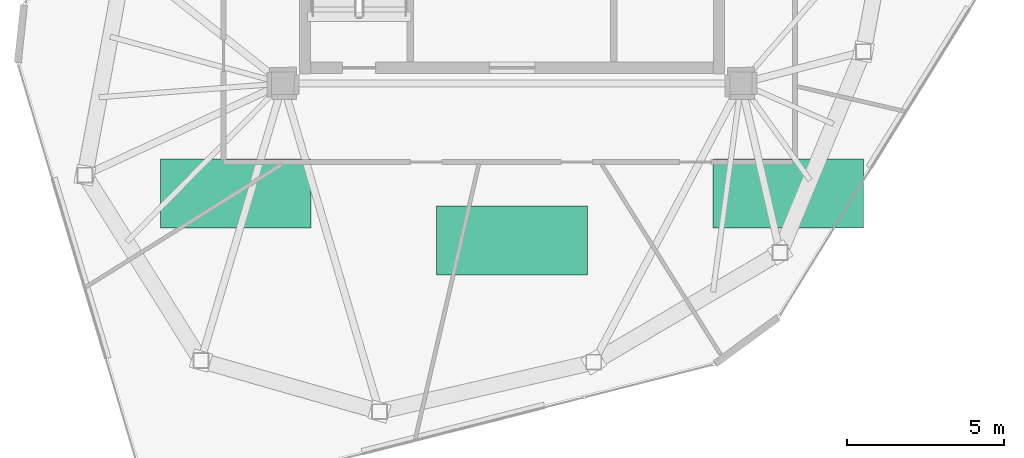
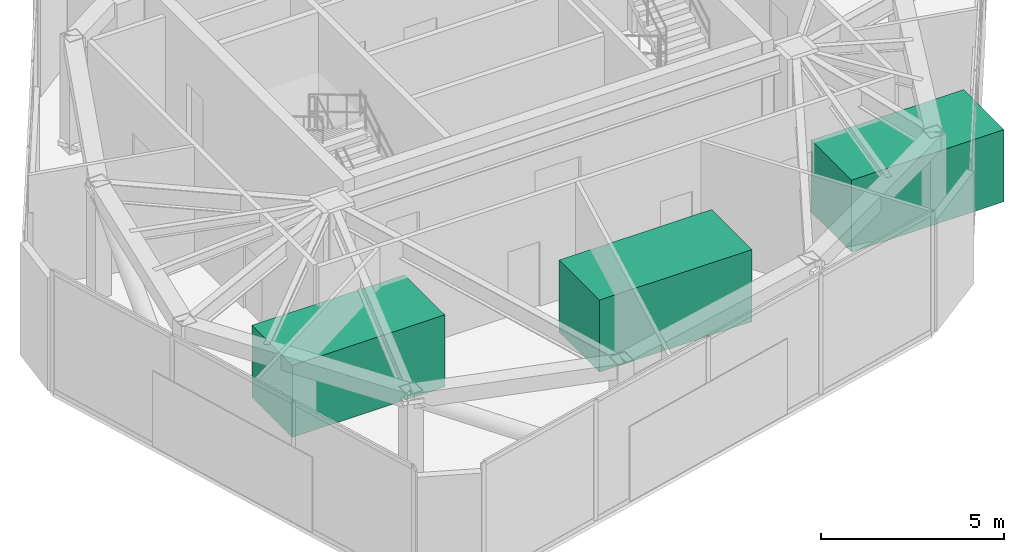
# One storey, part 21 of 21: 3 electric generators.
"""IFC4 building model written with IfcOpenShell, lengths in metres."""

import ifcopenshell
import ifcopenshell.guid

model = None  # the IFC model being written
_history = None  # IfcOwnerHistory: only IFC2X3 demands one
_inside = {}  # id of a spatial element -> (the spatial element, [elements in it])
_under = {}  # id of a project, library or spatial element -> (it, [spatial elements below it])
_declared = {}  # id of a project -> (the project, [libraries it declares])
_typed = {}  # id of a type object -> (the type object, [elements of that type])
_made_of = {}  # id of a material, layer set ... -> (it, [elements and type objects made of it])


def new_model(schema):
    """Start an empty IFC model of exactly this schema.

    Asked for "IFC4X3", IfcOpenShell would pick the latest addendum, in which some entities
    have other attributes; the version numbers below select the first issue.
    IFC2X3 requires an IfcOwnerHistory on every rooted entity: one is made here for all.
    """
    global model, _history
    if schema == "IFC4X3":
        model = ifcopenshell.file(schema_version=(4, 3, 0, 0))
    else:
        model = ifcopenshell.file(schema=schema)
    _inside.clear()
    _under.clear()
    _declared.clear()
    _typed.clear()
    _made_of.clear()
    _history = None
    if model.schema == "IFC2X3":
        org = make("IfcOrganization", Name="unknown")
        user = make(
            "IfcPersonAndOrganization",
            ThePerson=make("IfcPerson", FamilyName="unknown"),
            TheOrganization=org,
        )
        app = make(
            "IfcApplication",
            ApplicationDeveloper=org,
            Version="unknown",
            ApplicationFullName="unknown",
            ApplicationIdentifier="unknown",
        )
        _history = make(
            "IfcOwnerHistory",
            OwningUser=user,
            OwningApplication=app,
            ChangeAction="ADDED",
            CreationDate=0,
        )
    return model


def make(cls, **values):
    """One entity of the class cls with the attributes given. An attribute that is None is left unset."""
    return model.create_entity(
        cls, **{name: value for name, value in values.items() if value is not None}
    )


def rooted(cls, **values):
    """An entity with a GlobalId (a new one), such as an element, a storey or a relation."""
    return make(cls, GlobalId=ifcopenshell.guid.new(), OwnerHistory=_history, **values)


def si_unit(unit_type, name, prefix=None):
    """IfcSIUnit, for example si_unit("LENGTHUNIT", "METRE", prefix="MILLI")."""
    return make("IfcSIUnit", UnitType=unit_type, Prefix=prefix, Name=name)


def assignment(units):
    """IfcUnitAssignment: the units of a project."""
    return None if units is None else make("IfcUnitAssignment", Units=units)


def point(xyz):
    """IfcCartesianPoint."""
    return None if xyz is None else make("IfcCartesianPoint", Coordinates=xyz)


def direction(xyz):
    """IfcDirection."""
    return None if xyz is None else make("IfcDirection", DirectionRatios=xyz)


def frame(location, z_axis=None, x_axis=None):
    """IfcAxis2Placement3D, a coordinate frame: its origin and axes. An axis left out is left unset."""
    return make(
        "IfcAxis2Placement3D",
        Location=point(location),
        Axis=direction(z_axis),
        RefDirection=direction(x_axis),
    )


def frame_2d(location, x_axis=None):
    """IfcAxis2Placement2D, a coordinate frame in the plane: its origin and x axis."""
    return make(
        "IfcAxis2Placement2D", Location=point(location), RefDirection=direction(x_axis)
    )


def origin():
    """The frame at (0, 0, 0) with its axes left unset."""
    return frame((0.0, 0.0, 0.0))


def origin_2d():
    """The frame at (0, 0) in the plane with its x axis left unset."""
    return frame_2d((0.0, 0.0))


def place(relative_to, where):
    """IfcLocalPlacement: puts the frame where relative to a parent placement (None: the world)."""
    return make(
        "IfcLocalPlacement", PlacementRelTo=relative_to, RelativePlacement=where
    )


def context(
    kind, dimensions, precision=None, world=None, true_north=None, identifier=None
):
    """IfcGeometricRepresentationContext, for example the 3D "Model" context."""
    return make(
        "IfcGeometricRepresentationContext",
        ContextIdentifier=identifier,
        ContextType=kind,
        CoordinateSpaceDimension=dimensions,
        Precision=precision,
        WorldCoordinateSystem=world,
        TrueNorth=true_north,
    )


def subcontext(parent, identifier, kind, view, scale=None):
    """IfcGeometricRepresentationSubContext, for example "Body" below "Model"."""
    return make(
        "IfcGeometricRepresentationSubContext",
        ContextIdentifier=identifier,
        ContextType=kind,
        ParentContext=parent,
        TargetScale=scale,
        TargetView=view,
    )


def project(units=None, contexts=None):
    """IfcProject with its units and contexts."""
    return rooted(
        "IfcProject",
        Name="project",
        RepresentationContexts=contexts,
        UnitsInContext=assignment(units),
    )


def spatial(cls, under=None, at=None, **own):
    """A site, building, storey or space (cls), placed at a placement, below another one or the project."""
    s = rooted(cls, ObjectPlacement=at, **own)
    if under is not None:
        _under.setdefault(under.id(), (under, []))[1].append(s)
    return s


def profile(cls, at=None, kind="AREA", **sizes):
    """A parametric profile (cls). Its sizes go by their IFC names, for example OverallWidth=200.0."""
    return make(cls, ProfileType=kind, Position=at, **sizes)


def rectangle(**sizes):
    """IfcRectangleProfileDef."""
    return profile("IfcRectangleProfileDef", **sizes)


def extrude(swept, where, along, depth):
    """IfcExtrudedAreaSolid: the profile swept, set in the frame where, extruded along a direction by depth."""
    return make(
        "IfcExtrudedAreaSolid",
        SweptArea=swept,
        Position=where,
        ExtrudedDirection=direction(along),
        Depth=depth,
    )


def shape(context_of_items, identifier, shape_type, items):
    """IfcShapeRepresentation: the items that make up one representation, for example the "Body"."""
    return make(
        "IfcShapeRepresentation",
        ContextOfItems=context_of_items,
        RepresentationIdentifier=identifier,
        RepresentationType=shape_type,
        Items=items,
    )


def source(mapping_origin, context_of_items, identifier, shape_type, items):
    """IfcRepresentationMap: a shape defined once, which mapped items show again and again."""
    return make(
        "IfcRepresentationMap",
        MappingOrigin=mapping_origin,
        MappedRepresentation=shape(context_of_items, identifier, shape_type, items),
    )


def transform(
    local_origin,
    x_axis=None,
    y_axis=None,
    z_axis=None,
    scale=None,
    scale2=None,
    scale3=None,
    uniform=True,
):
    """IfcCartesianTransformationOperator3D, or its non-uniform kind. x_axis, y_axis, z_axis: its Axis1, 2, 3."""
    if uniform:
        return make(
            "IfcCartesianTransformationOperator3D",
            Axis1=direction(x_axis),
            Axis2=direction(y_axis),
            LocalOrigin=point(local_origin),
            Scale=scale,
            Axis3=direction(z_axis),
        )
    return make(
        "IfcCartesianTransformationOperator3DnonUniform",
        Axis1=direction(x_axis),
        Axis2=direction(y_axis),
        LocalOrigin=point(local_origin),
        Scale=scale,
        Axis3=direction(z_axis),
        Scale2=scale2,
        Scale3=scale3,
    )


def mapped(mapping_source, mapping_target):
    """IfcMappedItem: shows the shape of a source again, moved by a transform."""
    return make(
        "IfcMappedItem", MappingSource=mapping_source, MappingTarget=mapping_target
    )


def material(Name=None, Category=None):
    """IfcMaterial."""
    return make("IfcMaterial", Name=Name, Category=Category)


def made_of(thing, what):
    """Note that an element or type object is made of a material, layer set ...; save() writes the relation."""
    if what is not None:
        _made_of.setdefault(what.id(), (what, []))[1].append(thing)
    return thing


def type_object(cls, material=None, **own):
    """A type object (cls), such as IfcWallType, which elements share."""
    return made_of(rooted(cls, **own), material)


def type_shapes(of_type, sources):
    """Give a type object the sources (RepresentationMaps) that its elements show as mapped items."""
    of_type.RepresentationMaps = sources


def element(
    cls,
    number,
    at=None,
    inside=None,
    cuts=None,
    type_object=None,
    material=None,
    context=None,
    identifier="Body",
    shape_type=None,
    held_by="IfcProductDefinitionShape",
    body=None,
    shapes=None,
    **own,
):
    """One element of the class cls, such as IfcWall. Its Tag is "e" and its number.

    at: its placement. inside: the storey or other place that contains it. cuts: it is an
    opening in that element (IfcRelVoidsElement). A single representation is given by context,
    identifier, shape_type and body (its items); several are given by shapes. held_by: the class
    of the entity that holds the representations. save() writes the other relations.
    """
    e = rooted(cls, Tag="e%d" % number, ObjectPlacement=at, **own)
    if body is not None:
        shapes = [shape(context, identifier, shape_type, body)]
    if shapes is not None:
        e.Representation = make(held_by, Representations=shapes)
    if inside is not None:
        _inside.setdefault(inside.id(), (inside, []))[1].append(e)
    if cuts is not None:
        rooted(
            "IfcRelVoidsElement", RelatingBuildingElement=cuts, RelatedOpeningElement=e
        )
    if type_object is not None:
        _typed.setdefault(type_object.id(), (type_object, []))[1].append(e)
    return made_of(e, material)


def aggregate(whole, parts):
    """IfcRelAggregates: a whole, such as a stair, and the parts it consists of."""
    return rooted("IfcRelAggregates", RelatingObject=whole, RelatedObjects=parts)


def save(model, path):
    """Write the relations noted so far, then the file.

    IfcRelAggregates (storeys below a building ...), IfcRelContainedInSpatialStructure (elements
    in a storey), IfcRelDefinesByType, IfcRelAssociatesMaterial and IfcRelDeclares: one each for
    every whole, place, type object, material and project.
    """
    for whole, parts in _under.values():
        aggregate(whole, parts)
    for where, things in _inside.values():
        rooted(
            "IfcRelContainedInSpatialStructure",
            RelatedElements=things,
            RelatingStructure=where,
        )
    for kind, things in _typed.values():
        rooted("IfcRelDefinesByType", RelatedObjects=things, RelatingType=kind)
    for what, things in _made_of.values():
        rooted("IfcRelAssociatesMaterial", RelatedObjects=things, RelatingMaterial=what)
    for by, libraries in _declared.values():
        rooted("IfcRelDeclares", RelatingContext=by, RelatedDefinitions=libraries)
    model.write(path)


model = new_model("IFC4")

# Units and contexts
model_context = context("Model", 3, precision=1e-05, world=origin(), true_north=direction((0.0, 1.0)))
body_context = subcontext(model_context, "Body", "Model", "MODEL_VIEW")
ifc_project = project(units=[si_unit("LENGTHUNIT", "METRE"), si_unit("AREAUNIT", "SQUARE_METRE"), si_unit("VOLUMEUNIT", "CUBIC_METRE"), si_unit("PLANEANGLEUNIT", "RADIAN"), si_unit("MASSUNIT", "GRAM", prefix="KILO")], contexts=[model_context])

# Site, building, storey
site_placement = place(None, origin())
site = spatial("IfcSite", under=ifc_project, at=site_placement, CompositionType="ELEMENT")
building_placement = place(site_placement, origin())
building = spatial("IfcBuilding", under=site, at=building_placement, Name="Talar Marvaseh", CompositionType="ELEMENT")
storey_placement = place(building_placement, frame((0.0, 0.0, 300.0)))
storey = spatial("IfcBuildingStorey", under=building, at=storey_placement, Name="L80", CompositionType="ELEMENT", Elevation=300.0)

# Electric generators
ifc_material = material(Name="Architectural Aluminium", Category="aluminium")
electric_generator_type = type_object("IfcElectricGeneratorType", Name="Rooftop Centrifugal Chiller and Cooling Plant Skid", PredefinedType="STANDALONE", material=ifc_material)
shared_shape = source(origin(), body_context, "Body", "SweptSolid", [
    extrude(rectangle(XDim=4.800048828125, YDim=2.199951171875, at=origin_2d()), origin(), (0.0, 0.0, 1.0), 2.39990234375),
])
type_shapes(electric_generator_type, [shared_shape])
for number, where, z_axis, x_axis, name in (
    (1, (17.199951171875, 22.0, 0.0), (0.0, 0.0, 1.0), (1.0, 0.0, 0.0), "L80 Crown Mechanical Plant Chiller Skid 1"),
    (2, (34.800048828125, 22.0, 0.0), (0.0, 0.0, 1.0), (1.0, 0.0, 0.0), "L80 Crown Mechanical Plant Chiller Skid 2"),
    (3, (26.0, 20.5, 0.0), (0.0, 0.0, 1.0), (1.0, 0.0, 0.0), "L80 Crown Mechanical Plant Chiller Skid 3"),
):
    element("IfcElectricGenerator", number, at=place(storey_placement, frame(where, z_axis=z_axis, x_axis=x_axis)), inside=storey, type_object=electric_generator_type, Name=name, PredefinedType="STANDALONE", context=body_context, shape_type="MappedRepresentation", body=[
        mapped(shared_shape, transform((0.0, 0.0, 0.0), x_axis=(1.0, 0.0, 0.0), y_axis=(0.0, 1.0, 0.0), z_axis=(0.0, 0.0, 1.0), scale=1.0)),
    ])

save(model, "model.ifc")
